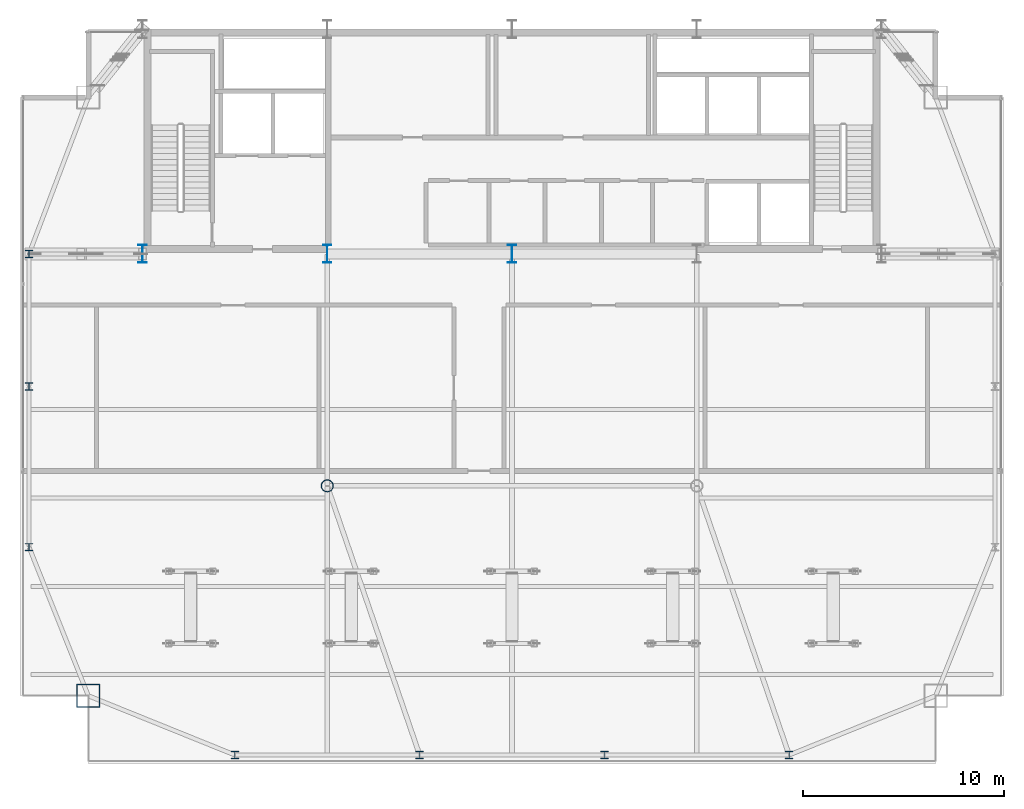
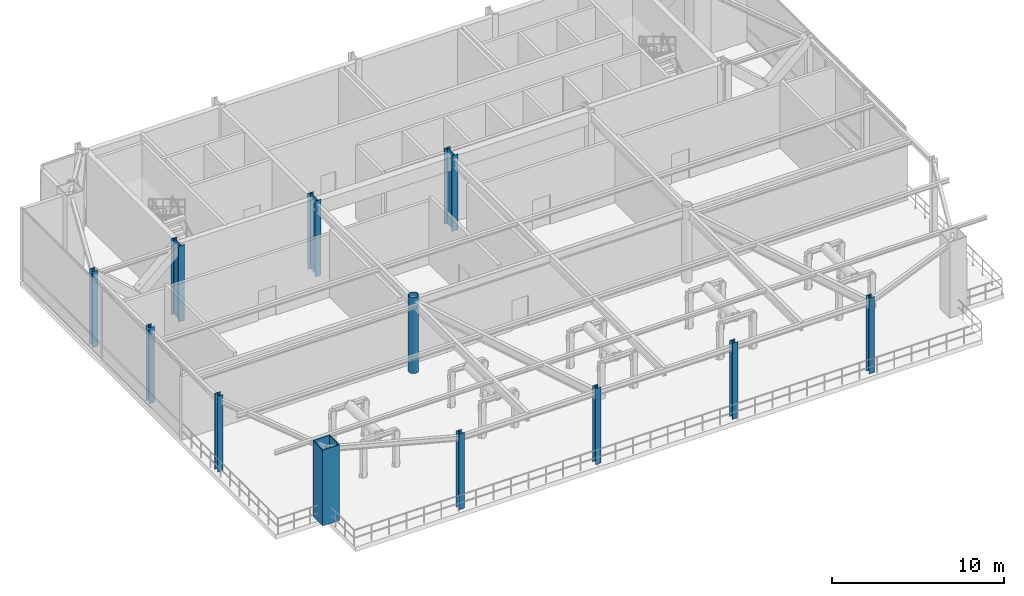
# One storey, part 1 of 21: 12 columns.
"""IFC4 building model written with IfcOpenShell, lengths in metres."""

from ifc_helpers import new_model, si_unit, direction, frame, origin, origin_2d, place, context, subcontext, project, spatial, hollow_rectangle, hollow_circle, i_section, extrude, source, transform, mapped, material, material_profile, profile_set, type_object, type_shapes, element, save


model = new_model("IFC4")

# Units and contexts
model_context = context("Model", 3, precision=1e-05, world=origin(), true_north=direction((0.0, 1.0)))
body_context = subcontext(model_context, "Body", "Model", "MODEL_VIEW")
ifc_project = project(units=[si_unit("LENGTHUNIT", "METRE"), si_unit("AREAUNIT", "SQUARE_METRE"), si_unit("VOLUMEUNIT", "CUBIC_METRE"), si_unit("PLANEANGLEUNIT", "RADIAN"), si_unit("MASSUNIT", "GRAM", prefix="KILO")], contexts=[model_context])

# Site, building, storey
site_placement = place(None, origin())
site = spatial("IfcSite", under=ifc_project, at=site_placement, CompositionType="ELEMENT")
building_placement = place(site_placement, origin())
building = spatial("IfcBuilding", under=site, at=building_placement, Name="Varnel Quay Broadcast Tower", CompositionType="ELEMENT")
storey_placement = place(building_placement, frame((0.0, 0.0, 234.0)))
storey = spatial("IfcBuildingStorey", under=building, at=storey_placement, Name="L58", CompositionType="ELEMENT", Elevation=234.0)

# Columns
ifc_material_1 = material(Name="Structural Steel CSA G40.21 350WT", Category="steel")
ifc_material_profile_1 = material_profile(ifc_material_1, i_section(OverallWidth=0.39990234375, OverallDepth=0.89990234375, WebThickness=0.01611328125, FlangeThickness=0.028076171875, FilletRadius=0.01611328125, at=origin_2d()), Name="WWF900X309")
ifc_profile_set_1 = profile_set([ifc_material_profile_1], Name="Structural Steel CSA G40.21 350WT")
column_type_1 = type_object("IfcColumnType", Name="Col_WWF900X309", PredefinedType="COLUMN", material=ifc_profile_set_1)
shared_shape_1 = source(origin(), body_context, "Body", "SweptSolid", [
    extrude(i_section(OverallWidth=0.39990234375, OverallDepth=0.89990234375, WebThickness=0.01611328125, FlangeThickness=0.028076171875, FilletRadius=0.01611328125, at=origin_2d()), origin(), (0.0, 0.0, 1.0), 5.39990234375),
])
type_shapes(column_type_1, [shared_shape_1])
for number, where, z_axis, x_axis, name in (
    (1, (15.60009765625, 35.60009765625, 0.0), (0.0, 0.0, 1.0), (1.0, 0.0, 0.0), "L58 Column CC-S1"),
    (2, (24.800048828125, 35.60009765625, 0.0), (0.0, 0.0, 1.0), (1.0, 0.0, 0.0), "L58 Column CC-S2"),
    (3, (34.0, 35.60009765625, 0.0), (0.0, 0.0, 1.0), (1.0, 0.0, 0.0), "L58 Column CC-S3"),
):
    element("IfcColumn", number, at=place(storey_placement, frame(where, z_axis=z_axis, x_axis=x_axis)), inside=storey, type_object=column_type_1, Name=name, PredefinedType="COLUMN", context=body_context, shape_type="MappedRepresentation", body=[
        mapped(shared_shape_1, transform((0.0, 0.0, 0.0), x_axis=(1.0, 0.0, 0.0), y_axis=(0.0, 1.0, 0.0), z_axis=(0.0, 0.0, 1.0), scale=1.0)),
    ])
ifc_material_profile_2 = material_profile(ifc_material_1, hollow_rectangle(XDim=1.14990234375, YDim=1.14990234375, WallThickness=0.044921875, at=origin_2d()), Name="BOX1150X1150X45")
ifc_profile_set_2 = profile_set([ifc_material_profile_2], Name="Structural Steel CSA G40.21 350WT")
column_type_2 = type_object("IfcColumnType", Name="Col_BOX1150X1150X45", PredefinedType="COLUMN", material=ifc_profile_set_2)
shared_shape_2 = source(origin(), body_context, "Body", "SweptSolid", [
    extrude(hollow_rectangle(XDim=1.14990234375, YDim=1.14990234375, WallThickness=0.044921875, at=origin_2d()), origin(), (0.0, 0.0, 1.0), 5.39990234375),
])
type_shapes(column_type_2, [shared_shape_2])
column_1_placement = place(storey_placement, frame((12.89990234375, 13.60009765625, 0.0), z_axis=(0.0, 0.0, 1.0), x_axis=(1.0, 0.0, 0.0)))
element("IfcColumn", 4, at=column_1_placement, inside=storey, type_object=column_type_2, Name="L58 Column MC-SW", PredefinedType="COLUMN", context=body_context, shape_type="MappedRepresentation", body=[
    mapped(shared_shape_2, transform((0.0, 0.0, 0.0), x_axis=(1.0, 0.0, 0.0), y_axis=(0.0, 1.0, 0.0), z_axis=(0.0, 0.0, 1.0), scale=1.0)),
])
ifc_material_2 = material(Name="Structural Steel CSA G40.21 350W", Category="steel")
ifc_material_profile_3 = material_profile(ifc_material_2, i_section(OverallWidth=0.368896484375, OverallDepth=0.35595703125, WebThickness=0.01123046875, FlangeThickness=0.01806640625, FilletRadius=0.01611328125, at=origin_2d()), Name="W360X134")
ifc_profile_set_3 = profile_set([ifc_material_profile_3], Name="Structural Steel CSA G40.21 350W")
column_type_3 = type_object("IfcColumnType", Name="Col_W360X134", PredefinedType="COLUMN", material=ifc_profile_set_3)
shared_shape_3 = source(origin(), body_context, "Body", "SweptSolid", [
    extrude(i_section(OverallWidth=0.368896484375, OverallDepth=0.35595703125, WebThickness=0.01123046875, FlangeThickness=0.01806640625, FilletRadius=0.01611328125, at=origin_2d()), origin(), (0.0, 0.0, 1.0), 5.39990234375),
])
type_shapes(column_type_3, [shared_shape_3])
for number, where, z_axis, x_axis, name in (
    (5, (20.199951171875, 10.64990234375, 0.0), (0.0, 0.0, 1.0), (1.0, 0.0, 0.0), "L58 Column TC-S1"),
    (6, (29.39990234375, 10.64990234375, 0.0), (0.0, 0.0, 1.0), (1.0, 0.0, 0.0), "L58 Column TC-S2"),
    (7, (38.60009765625, 10.64990234375, 0.0), (0.0, 0.0, 1.0), (1.0, 0.0, 0.0), "L58 Column TC-S3"),
    (8, (47.800048828125, 10.64990234375, 0.0), (0.0, 0.0, 1.0), (1.0, 0.0, 0.0), "L58 Column TC-S4"),
    (9, (9.949951171875, 21.0, 0.0), (0.0, 0.0, 1.0), (1.0, 0.0, 0.0), "L58 Column TC-W1"),
    (10, (9.949951171875, 29.0, 0.0), (0.0, 0.0, 1.0), (1.0, 0.0, 0.0), "L58 Column TC-W2"),
    (11, (9.949951171875, 35.60009765625, 0.0), (0.0, 0.0, 1.0), (1.0, 0.0, 0.0), "L58 Column TC-W3"),
):
    element("IfcColumn", number, at=place(storey_placement, frame(where, z_axis=z_axis, x_axis=x_axis)), inside=storey, type_object=column_type_3, Name=name, PredefinedType="COLUMN", context=body_context, shape_type="MappedRepresentation", body=[
        mapped(shared_shape_3, transform((0.0, 0.0, 0.0), x_axis=(1.0, 0.0, 0.0), y_axis=(0.0, 1.0, 0.0), z_axis=(0.0, 0.0, 1.0), scale=1.0)),
    ])
ifc_material_profile_4 = material_profile(ifc_material_2, hollow_circle(Radius=0.304931640625, WallThickness=0.02490234375, at=origin_2d()), Name="CHS610X25")
ifc_profile_set_4 = profile_set([ifc_material_profile_4], Name="Structural Steel CSA G40.21 350W")
column_type_4 = type_object("IfcColumnType", Name="Col_CHS610X25", PredefinedType="COLUMN", material=ifc_profile_set_4)
shared_shape_4 = source(origin(), body_context, "Body", "SweptSolid", [
    extrude(hollow_circle(Radius=0.304931640625, WallThickness=0.02490234375, at=origin_2d()), origin(), (0.0, 0.0, 1.0), 5.39990234375),
])
type_shapes(column_type_4, [shared_shape_4])
column_2_placement = place(storey_placement, frame((24.800048828125, 24.050048828125, 0.0), z_axis=(0.0, 0.0, 1.0), x_axis=(1.0, 0.0, 0.0)))
element("IfcColumn", 12, at=column_2_placement, inside=storey, type_object=column_type_4, Name="L58 Column IC-01", PredefinedType="COLUMN", context=body_context, shape_type="MappedRepresentation", body=[
    mapped(shared_shape_4, transform((0.0, 0.0, 0.0), x_axis=(1.0, 0.0, 0.0), y_axis=(0.0, 1.0, 0.0), z_axis=(0.0, 0.0, 1.0), scale=1.0)),
])

save(model, "model.ifc")
